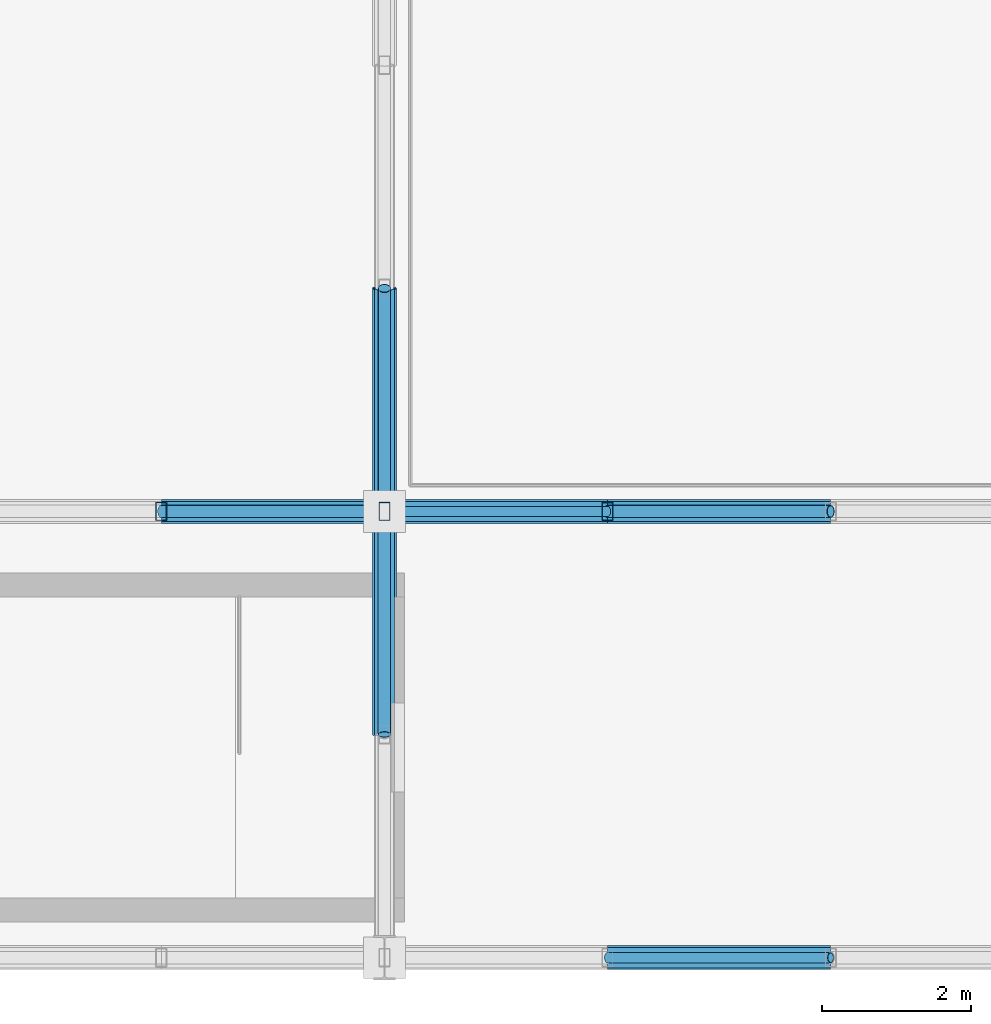
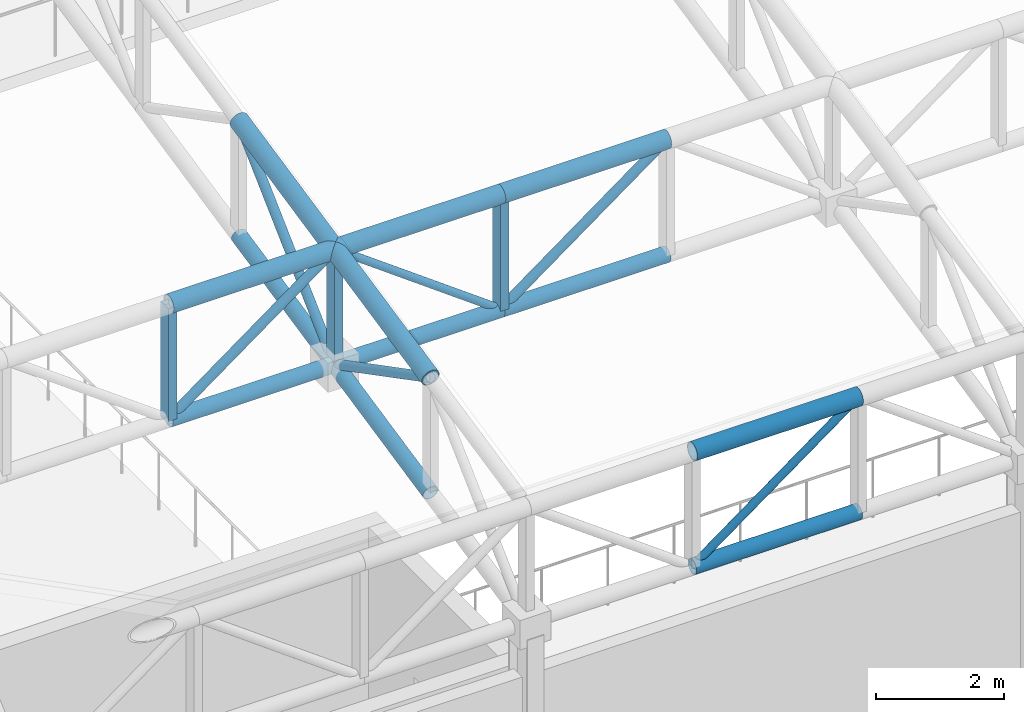
# One storey, part 12 of 112: 21 members.
"""IFC4 building model written with IfcOpenShell, lengths in metres."""

from ifc_helpers import new_model, si_unit, direction, frame, origin, origin_2d, place, context, subcontext, project, spatial, hollow_rectangle, hollow_circle, extrude, material, material_profile, profile_set, type_object, element, save


model = new_model("IFC4")

# Units and contexts
model_context = context("Model", 3, precision=1e-05, world=origin(), true_north=direction((0.0, 1.0)))
body_context = subcontext(model_context, "Body", "Model", "MODEL_VIEW")
ifc_project = project(units=[si_unit("LENGTHUNIT", "METRE"), si_unit("AREAUNIT", "SQUARE_METRE"), si_unit("VOLUMEUNIT", "CUBIC_METRE"), si_unit("PLANEANGLEUNIT", "RADIAN"), si_unit("MASSUNIT", "GRAM", prefix="KILO")], contexts=[model_context])

# Site, building, storey
site_placement = place(None, origin())
site = spatial("IfcSite", under=ifc_project, at=site_placement, CompositionType="ELEMENT")
building_placement = place(site_placement, origin())
building = spatial("IfcBuilding", under=site, at=building_placement, Name="Kaldris Quays Convention Centre", CompositionType="ELEMENT")
storey_placement = place(building_placement, frame((0.0, 0.0, 16.800048828125)))
storey = spatial("IfcBuildingStorey", under=building, at=storey_placement, Name="L03", CompositionType="ELEMENT", Elevation=16.800048828125)

# Members
ifc_material = material(Name="Steel S355J2H", Category="steel")
ifc_material_profile_1 = material_profile(ifc_material, hollow_circle(Radius=0.161865234375, WallThickness=0.01611328125, at=origin_2d()), Name="CHS 323.9x16")
ifc_profile_set_1 = profile_set([ifc_material_profile_1], Name="Steel S355J2H")
member_type_1 = type_object("IfcMemberType", Name="STRUCTURAL MEMBER SC03", PredefinedType="CHORD", material=ifc_profile_set_1)
for number, where, z_axis, x_axis, name in (
    (1, (32.0, 16.0, 7.530517578125), (1.0, 0.0, 0.0), (0.0, 1.0, 0.0), "SF-V3 Top Chord X 5"),
    (2, (26.0, 22.0, 8.810546875), (1.0, 0.0, 0.0), (0.0, 1.0, 0.0), "SF-V3 Top Chord X 24"),
    (3, (29.0, 22.0, 8.810546875), (1.0, 0.0, 0.0), (0.0, 1.0, 0.0), "SF-V3 Top Chord X 25"),
    (4, (32.0, 22.0, 8.810546875), (1.0, 0.0, 0.0), (0.0, 1.0, 0.0), "SF-V3 Top Chord X 26"),
):
    element("IfcMember", number, at=place(storey_placement, frame(where, z_axis=z_axis, x_axis=x_axis)), inside=storey, type_object=member_type_1, Name=name, PredefinedType="CHORD", context=body_context, shape_type="SweptSolid", body=[
        extrude(hollow_circle(Radius=0.161865234375, WallThickness=0.01611328125, at=origin_2d()), origin(), (0.0, 0.0, 1.0), 3.0),
    ])
member_1_placement = place(storey_placement, frame((29.0, 19.0, 8.17041015625), z_axis=(0.0, 0.977983741211, 0.20868110103), x_axis=(-1.0, 0.0, 0.0)))
element("IfcMember", 5, at=member_1_placement, inside=storey, type_object=member_type_1, Name="SF-V3 Top Chord Y 117", PredefinedType="CHORD", context=body_context, shape_type="SweptSolid", body=[
    extrude(hollow_circle(Radius=0.161865234375, WallThickness=0.01611328125, at=origin_2d()), origin(), (0.0, 0.0, 1.0), 3.067626953125),
])
member_2_placement = place(storey_placement, frame((29.0, 22.0, 8.810546875), z_axis=(0.0, 0.977999981478, 0.208604976518), x_axis=(-1.0, 0.0, 0.0)))
element("IfcMember", 6, at=member_2_placement, inside=storey, type_object=member_type_1, Name="SF-V3 Top Chord Y 118", PredefinedType="CHORD", context=body_context, shape_type="SweptSolid", body=[
    extrude(hollow_circle(Radius=0.161865234375, WallThickness=0.01611328125, at=origin_2d()), origin(), (0.0, 0.0, 1.0), 3.0673828125),
])
ifc_material_profile_2 = material_profile(ifc_material, hollow_circle(Radius=0.136474609375, WallThickness=0.012451171875, at=origin_2d()), Name="CHS 273x12.5")
ifc_profile_set_2 = profile_set([ifc_material_profile_2], Name="Steel S355J2H")
member_type_2 = type_object("IfcMemberType", Name="STRUCTURAL MEMBER SC04", PredefinedType="CHORD", material=ifc_profile_set_2)
for number, where, z_axis, x_axis, name in (
    (7, (32.0, 16.0, 5.33056640625), (1.0, 0.0, 0.0), (0.0, 1.0, 0.0), "SF-V3 Bottom Chord X 5"),
    (8, (26.0, 22.0, 6.6103515625), (1.0, 0.0, 0.0), (0.0, 1.0, 0.0), "SF-V3 Bottom Chord X 24"),
    (9, (29.0, 22.0, 6.6103515625), (1.0, 0.0, 0.0), (0.0, 1.0, 0.0), "SF-V3 Bottom Chord X 25"),
    (10, (32.0, 22.0, 6.6103515625), (1.0, 0.0, 0.0), (0.0, 1.0, 0.0), "SF-V3 Bottom Chord X 26"),
):
    element("IfcMember", number, at=place(storey_placement, frame(where, z_axis=z_axis, x_axis=x_axis)), inside=storey, type_object=member_type_2, Name=name, PredefinedType="CHORD", context=body_context, shape_type="SweptSolid", body=[
        extrude(hollow_circle(Radius=0.136474609375, WallThickness=0.012451171875, at=origin_2d()), origin(), (0.0, 0.0, 1.0), 3.0),
    ])
member_3_placement = place(storey_placement, frame((29.0, 19.0, 5.970458984375), z_axis=(0.0, 0.977999981478, 0.208604976518), x_axis=(-1.0, 0.0, 0.0)))
element("IfcMember", 11, at=member_3_placement, inside=storey, type_object=member_type_2, Name="SF-V3 Bottom Chord Y 117", PredefinedType="CHORD", context=body_context, shape_type="SweptSolid", body=[
    extrude(hollow_circle(Radius=0.136474609375, WallThickness=0.012451171875, at=origin_2d()), origin(), (0.0, 0.0, 1.0), 3.0673828125),
])
member_4_placement = place(storey_placement, frame((29.0, 22.0, 6.6103515625), z_axis=(0.0, 0.977983741211, 0.20868110103), x_axis=(-1.0, 0.0, 0.0)))
element("IfcMember", 12, at=member_4_placement, inside=storey, type_object=member_type_2, Name="SF-V3 Bottom Chord Y 118", PredefinedType="CHORD", context=body_context, shape_type="SweptSolid", body=[
    extrude(hollow_circle(Radius=0.136474609375, WallThickness=0.012451171875, at=origin_2d()), origin(), (0.0, 0.0, 1.0), 3.067626953125),
])
ifc_material_profile_3 = material_profile(ifc_material, hollow_circle(Radius=0.084228515625, WallThickness=0.008056640625, at=origin_2d()), Name="CHS 168.3x8")
ifc_profile_set_3 = profile_set([ifc_material_profile_3], Name="Steel S355J2H")
member_type_3 = type_object("IfcMemberType", Name="STRUCTURAL MEMBER SWB2", PredefinedType="BRACE", material=ifc_profile_set_3)
for number, where, z_axis, x_axis, name in (
    (13, (26.0, 22.0, 6.6103515625), (0.806379959628, 0.0, 0.591397802423), (0.0, 1.0, 0.0), "SF-V3 Web Diagonal X 24"),
    (14, (32.0, 22.0, 6.6103515625), (0.806379959628, 0.0, 0.591397802423), (0.0, 1.0, 0.0), "SF-V3 Web Diagonal X 26"),
):
    element("IfcMember", number, at=place(storey_placement, frame(where, z_axis=z_axis, x_axis=x_axis)), inside=storey, type_object=member_type_3, Name=name, PredefinedType="BRACE", context=body_context, shape_type="SweptSolid", body=[
        extrude(hollow_circle(Radius=0.084228515625, WallThickness=0.008056640625, at=origin_2d()), origin(), (0.0, 0.0, 1.0), 3.72021484375),
    ])
member_5_placement = place(storey_placement, frame((29.0, 22.0, 6.6103515625), z_axis=(0.0, -0.887209708306, 0.461366376634), x_axis=(1.0, 0.0, 0.0)))
element("IfcMember", 15, at=member_5_placement, inside=storey, type_object=member_type_3, Name="SF-V3 Web Diagonal Y 117", PredefinedType="BRACE", context=body_context, shape_type="SweptSolid", body=[
    extrude(hollow_circle(Radius=0.084228515625, WallThickness=0.008056640625, at=origin_2d()), origin(), (0.0, 0.0, 1.0), 3.38134765625),
])
member_6_placement = place(storey_placement, frame((29.0, 22.0, 6.6103515625), z_axis=(0.0, 0.726196449967, 0.687487247922), x_axis=(-1.0, 0.0, 0.0)))
element("IfcMember", 16, at=member_6_placement, inside=storey, type_object=member_type_3, Name="SF-V3 Web Diagonal Y 118", PredefinedType="BRACE", context=body_context, shape_type="SweptSolid", body=[
    extrude(hollow_circle(Radius=0.084228515625, WallThickness=0.008056640625, at=origin_2d()), origin(), (0.0, 0.0, 1.0), 4.131103515625),
])
ifc_material_profile_4 = material_profile(ifc_material, hollow_circle(Radius=0.06982421875, WallThickness=0.00634765625, at=origin_2d()), Name="CHS 139.7x6.3")
ifc_profile_set_4 = profile_set([ifc_material_profile_4], Name="Steel S355J2H")
member_type_4 = type_object("IfcMemberType", Name="STRUCTURAL MEMBER SWB4", PredefinedType="BRACE", material=ifc_profile_set_4)
for number, where, z_axis, x_axis, name in (
    (17, (32.0, 16.0, 5.33056640625), (0.80641125493, 0.0, 0.591355128432), (0.0, 1.0, 0.0), "SF-V3 Web Diagonal X 5"),
    (18, (32.0, 22.0, 6.6103515625), (-0.806379959628, 0.0, 0.591397802423), (0.0, -1.0, 0.0), "SF-V3 Web Diagonal X 25"),
):
    element("IfcMember", number, at=place(storey_placement, frame(where, z_axis=z_axis, x_axis=x_axis)), inside=storey, type_object=member_type_4, Name=name, PredefinedType="BRACE", context=body_context, shape_type="SweptSolid", body=[
        extrude(hollow_circle(Radius=0.06982421875, WallThickness=0.00634765625, at=origin_2d()), origin(), (0.0, 0.0, 1.0), 3.72021484375),
    ])
ifc_material_profile_5 = material_profile(ifc_material, hollow_rectangle(XDim=0.14990234375, YDim=0.25, WallThickness=0.010009765625, at=origin_2d()), Name="RHS 250x150x10")
ifc_profile_set_5 = profile_set([ifc_material_profile_5], Name="Steel S355J2H")
member_type_5 = type_object("IfcMemberType", Name="STRUCTURAL MEMBER TTV1", PredefinedType="POST", material=ifc_profile_set_5)
for number, where, z_axis, x_axis, name in (
    (19, (26.0, 22.0, 6.6103515625), (0.0, 0.0, 1.0), (1.0, 0.0, 0.0), "SF-V3 Space-Frame Post 18"),
    (20, (29.0, 22.0, 6.6103515625), (0.0, 0.0, 1.0), (1.0, 0.0, 0.0), "SF-V3 Space-Frame Post 24"),
    (21, (32.0, 22.0, 6.6103515625), (0.0, 0.0, 1.0), (1.0, 0.0, 0.0), "SF-V3 Space-Frame Post 34"),
):
    element("IfcMember", number, at=place(storey_placement, frame(where, z_axis=z_axis, x_axis=x_axis)), inside=storey, type_object=member_type_5, Name=name, PredefinedType="POST", context=body_context, shape_type="SweptSolid", body=[
        extrude(hollow_rectangle(XDim=0.14990234375, YDim=0.25, WallThickness=0.010009765625, at=origin_2d()), origin(), (0.0, 0.0, 1.0), 2.2001953125),
    ])

save(model, "model.ifc")
